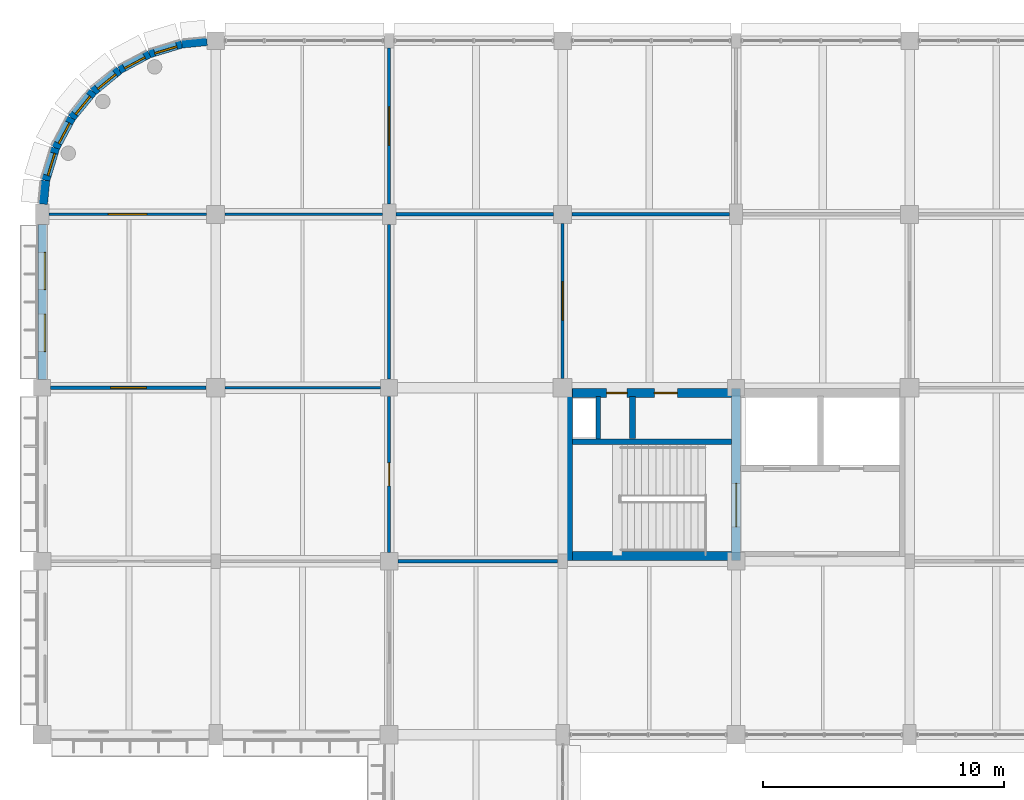
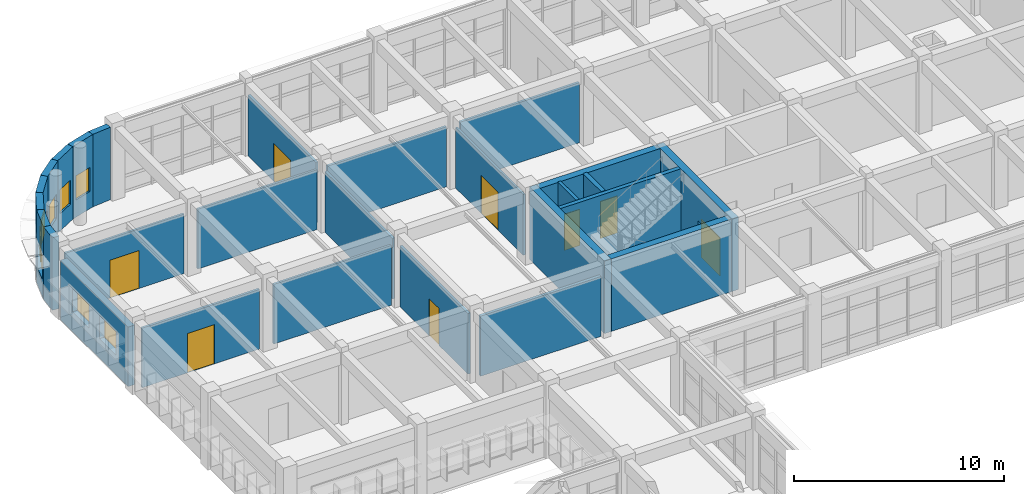
# One storey, part 155 of 171: 27 walls, 8 doors, 8 windows, 16 openings.
"""IFC4 building model written with IfcOpenShell, lengths in metres."""

from ifc_helpers import new_model, si_unit, direction, frame, frame_2d, origin, place, context, subcontext, project, spatial, rectangle, extrude, material, layer, layer_set, type_object, element, fill, save


model = new_model("IFC4")

# Units and contexts
model_context = context("Model", 3, precision=1e-05, world=origin(), true_north=direction((0.0, 1.0)))
body_context = subcontext(model_context, "Body", "Model", "MODEL_VIEW")
ifc_project = project(units=[si_unit("LENGTHUNIT", "METRE"), si_unit("AREAUNIT", "SQUARE_METRE"), si_unit("VOLUMEUNIT", "CUBIC_METRE"), si_unit("PLANEANGLEUNIT", "RADIAN"), si_unit("MASSUNIT", "GRAM", prefix="KILO")], contexts=[model_context])

# Site, building, storey
site_placement = place(None, origin())
site = spatial("IfcSite", under=ifc_project, at=site_placement, CompositionType="ELEMENT")
building_placement = place(site_placement, origin())
building = spatial("IfcBuilding", under=site, at=building_placement, Name="Thalmaran Polytechnic", CompositionType="ELEMENT")
storey_placement = place(building_placement, frame((0.0, 0.0, 5.39990234375)))
storey = spatial("IfcBuildingStorey", under=building, at=storey_placement, Name="L01", CompositionType="ELEMENT", Elevation=5.39990234375)

# Wall, openings, windows
ifc_material_1 = material(Name="Precast concrete C40/50", Category="concrete")
ifc_layer_1 = layer(ifc_material_1, 0.360107421875, Name="Precast concrete C40/50")
ifc_layer_set_1 = layer_set([ifc_layer_1], Name="Precast concrete C40/50")
wall_type_1 = type_object("IfcWallType", Name="WL-EW01", PredefinedType="STANDARD", material=ifc_layer_set_1)
wall_1_placement = place(storey_placement, frame((0.0, 108.35009765625, 0.0), z_axis=(0.0, 0.0, 1.0), x_axis=(0.0, 1.0, 0.0)))
wall_1 = element("IfcWall", 1, at=wall_1_placement, inside=storey, type_object=wall_type_1, Name="Exterior Precast Facade Wall L01-020", PredefinedType="STANDARD", context=body_context, shape_type="SweptSolid", body=[
    extrude(rectangle(XDim=6.4248046875, YDim=0.360107421875, at=frame_2d((3.21240234375, 0.0))), origin(), (0.0, 0.0, 1.0), 3.455078125),
])
opening_1_placement = place(wall_1_placement, frame((1.152587890625, 0.0, 1.14990234375)))
opening_1 = element("IfcOpeningElement", 2, at=opening_1_placement, cuts=wall_1, Name="Opening VW09", PredefinedType="OPENING", context=body_context, shape_type="SweptSolid", body=[
    extrude(rectangle(XDim=1.550048828125, YDim=1.35009765625, at=frame_2d((0.77490234375, 0.675048828125))), frame((0.0, 0.18994140625, 0.0), z_axis=(0.0, -1.0, 0.0), x_axis=(1.0, 0.0, 0.0)), (0.0, 0.0, 1.0), 0.380126953125),
])
opening_2_placement = place(wall_1_placement, frame((3.722412109375, 0.0, 1.14990234375)))
opening_2 = element("IfcOpeningElement", 3, at=opening_2_placement, cuts=wall_1, Name="Opening VW09", PredefinedType="OPENING", context=body_context, shape_type="SweptSolid", body=[
    extrude(rectangle(XDim=1.550048828125, YDim=1.35009765625, at=frame_2d((0.77490234375, 0.675048828125))), frame((0.0, 0.18994140625, 0.0), z_axis=(0.0, -1.0, 0.0), x_axis=(1.0, 0.0, 0.0)), (0.0, 0.0, 1.0), 0.380126953125),
])
ifc_material_2 = material(Name="Thermally broken aluminium and double low-E glass", Category="aluminium")
window_type_1 = type_object("IfcWindowType", Name="WN-VZ09", PartitioningType="SINGLE_PANEL", PredefinedType="WINDOW", material=ifc_material_2)
window_1_placement = place(opening_1_placement, origin())
window_1 = element("IfcWindow", 4, at=window_1_placement, inside=storey, type_object=window_type_1, Name="Deep-Set Solar-Screened Window W-0116", OverallHeight=1.35009765625, OverallWidth=1.550048828125, PartitioningType="SINGLE_PANEL", PredefinedType="WINDOW", context=body_context, shape_type="SweptSolid", body=[
    extrude(rectangle(XDim=1.550048828125, YDim=1.35009765625, at=frame_2d((0.77490234375, 0.675048828125))), frame((0.0, -0.080078125, 0.0), z_axis=(0.0, -1.0, 0.0), x_axis=(1.0, 0.0, 0.0)), (0.0, 0.0, 1.0), 0.06005859375),
])
fill(opening_1, window_1)
window_2_placement = place(opening_2_placement, origin())
window_2 = element("IfcWindow", 5, at=window_2_placement, inside=storey, type_object=window_type_1, Name="Deep-Set Solar-Screened Window W-0117", OverallHeight=1.35009765625, OverallWidth=1.550048828125, PartitioningType="SINGLE_PANEL", PredefinedType="WINDOW", context=body_context, shape_type="SweptSolid", body=[
    extrude(rectangle(XDim=1.550048828125, YDim=1.35009765625, at=frame_2d((0.77490234375, 0.675048828125))), frame((0.0, -0.080078125, 0.0), z_axis=(0.0, -1.0, 0.0), x_axis=(1.0, 0.0, 0.0)), (0.0, 0.0, 1.0), 0.06005859375),
])
fill(opening_2, window_2)

# Wall
wall_2_placement = place(storey_placement, frame((0.041748046875, 115.623046875, 0.0), z_axis=(0.0, 0.0, 1.0), x_axis=(0.09800882272, 0.99518554585, 0.0)))
element("IfcWall", 6, at=wall_2_placement, inside=storey, type_object=wall_type_1, Name="Exterior Precast Facade Wall L01-021", PredefinedType="STANDARD", context=body_context, shape_type="SweptSolid", body=[
    extrude(rectangle(XDim=0.986328125, YDim=0.360107421875, at=frame_2d((0.4931640625, 0.0))), origin(), (0.0, 0.0, 1.0), 4.210205078125),
])

# Wall, opening, window
wall_3_placement = place(storey_placement, frame((0.138427734375, 116.604736328125, 0.0), z_axis=(0.0, 0.0, 1.0), x_axis=(0.290266641956, 0.956945806495, 0.0)))
wall_3 = element("IfcWall", 7, at=wall_3_placement, inside=storey, type_object=wall_type_1, Name="Exterior Precast Facade Wall L01-022", PredefinedType="STANDARD", context=body_context, shape_type="SweptSolid", body=[
    extrude(rectangle(XDim=1.411376953125, YDim=0.360107421875, at=frame_2d((0.70556640625, 0.0))), origin(), (0.0, 0.0, 1.0), 4.210205078125),
])
opening_3_placement = place(wall_3_placement, frame((0.2255859375, 0.0, 1.0)))
opening_3 = element("IfcOpeningElement", 8, at=opening_3_placement, cuts=wall_3, Name="Opening CR01", PredefinedType="OPENING", context=body_context, shape_type="SweptSolid", body=[
    extrude(rectangle(XDim=0.9599609375, YDim=1.39990234375, at=frame_2d((0.47998046875, 0.699951171875))), frame((0.0, 0.18994140625, 0.0), z_axis=(0.0, -1.0, 0.0), x_axis=(1.0, 0.0, 0.0)), (0.0, 0.0, 1.0), 0.380126953125),
])
window_type_2 = type_object("IfcWindowType", Name="WN-CR01", PartitioningType="SINGLE_PANEL", PredefinedType="WINDOW", material=ifc_material_2)
window_3_placement = place(opening_3_placement, origin())
window_3 = element("IfcWindow", 9, at=window_3_placement, inside=storey, type_object=window_type_2, Name="Curved Prow Ribbon Window W-0118", OverallHeight=1.39990234375, OverallWidth=0.9599609375, PartitioningType="SINGLE_PANEL", PredefinedType="WINDOW", context=body_context, shape_type="SweptSolid", body=[
    extrude(rectangle(XDim=0.9599609375, YDim=1.39990234375, at=frame_2d((0.47998046875, 0.699951171875))), frame((0.0, -0.010009765625, 0.0), z_axis=(0.0, -1.0, 0.0), x_axis=(1.0, 0.0, 0.0)), (0.0, 0.0, 1.0), 0.06005859375),
])
fill(opening_3, window_3)

wall_4_placement = place(storey_placement, frame((0.548095703125, 117.955322265625, 0.0), z_axis=(0.0, 0.0, 1.0), x_axis=(0.471333199182, 0.881955222984, 0.0)))
wall_4 = element("IfcWall", 10, at=wall_4_placement, inside=storey, type_object=wall_type_1, Name="Exterior Precast Facade Wall L01-023", PredefinedType="STANDARD", context=body_context, shape_type="SweptSolid", body=[
    extrude(rectangle(XDim=1.411376953125, YDim=0.360107421875, at=frame_2d((0.70556640625, 0.0))), origin(), (0.0, 0.0, 1.0), 4.210205078125),
])
opening_4_placement = place(wall_4_placement, frame((0.2255859375, 0.0, 1.0)))
opening_4 = element("IfcOpeningElement", 11, at=opening_4_placement, cuts=wall_4, Name="Opening CR01", PredefinedType="OPENING", context=body_context, shape_type="SweptSolid", body=[
    extrude(rectangle(XDim=0.9599609375, YDim=1.39990234375, at=frame_2d((0.47998046875, 0.699951171875))), frame((0.0, 0.18994140625, 0.0), z_axis=(0.0, -1.0, 0.0), x_axis=(1.0, 0.0, 0.0)), (0.0, 0.0, 1.0), 0.380126953125),
])
window_4_placement = place(opening_4_placement, origin())
window_4 = element("IfcWindow", 12, at=window_4_placement, inside=storey, type_object=window_type_2, Name="Curved Prow Ribbon Window W-0119", OverallHeight=1.39990234375, OverallWidth=0.9599609375, PartitioningType="SINGLE_PANEL", PredefinedType="WINDOW", context=body_context, shape_type="SweptSolid", body=[
    extrude(rectangle(XDim=0.9599609375, YDim=1.39990234375, at=frame_2d((0.47998046875, 0.699951171875))), frame((0.0, -0.010009765625, 0.0), z_axis=(0.0, -1.0, 0.0), x_axis=(1.0, 0.0, 0.0)), (0.0, 0.0, 1.0), 0.06005859375),
])
fill(opening_4, window_4)

wall_5_placement = place(storey_placement, frame((1.21337890625, 119.2001953125, 0.0), z_axis=(0.0, 0.0, 1.0), x_axis=(0.634433227965, 0.772977670605, 0.0)))
wall_5 = element("IfcWall", 13, at=wall_5_placement, inside=storey, type_object=wall_type_1, Name="Exterior Precast Facade Wall L01-024", PredefinedType="STANDARD", context=body_context, shape_type="SweptSolid", body=[
    extrude(rectangle(XDim=1.41162109375, YDim=0.360107421875, at=frame_2d((0.705810546875, 0.0))), origin(), (0.0, 0.0, 1.0), 4.210205078125),
])
opening_5_placement = place(wall_5_placement, frame((0.2255859375, 0.0, 1.0)))
opening_5 = element("IfcOpeningElement", 14, at=opening_5_placement, cuts=wall_5, Name="Opening CR01", PredefinedType="OPENING", context=body_context, shape_type="SweptSolid", body=[
    extrude(rectangle(XDim=0.9599609375, YDim=1.39990234375, at=frame_2d((0.47998046875, 0.699951171875))), frame((0.0, 0.18994140625, 0.0), z_axis=(0.0, -1.0, 0.0), x_axis=(1.0, 0.0, 0.0)), (0.0, 0.0, 1.0), 0.380126953125),
])
window_5_placement = place(opening_5_placement, origin())
window_5 = element("IfcWindow", 15, at=window_5_placement, inside=storey, type_object=window_type_2, Name="Curved Prow Ribbon Window W-0120", OverallHeight=1.39990234375, OverallWidth=0.9599609375, PartitioningType="SINGLE_PANEL", PredefinedType="WINDOW", context=body_context, shape_type="SweptSolid", body=[
    extrude(rectangle(XDim=0.9599609375, YDim=1.39990234375, at=frame_2d((0.47998046875, 0.699951171875))), frame((0.0, -0.010009765625, 0.0), z_axis=(0.0, -1.0, 0.0), x_axis=(1.0, 0.0, 0.0)), (0.0, 0.0, 1.0), 0.06005859375),
])
fill(opening_5, window_5)

wall_6_placement = place(storey_placement, frame((2.10888671875, 120.291259765625, 0.0), z_axis=(0.0, 0.0, 1.0), x_axis=(0.773062495189, 0.63432986571, 0.0)))
wall_6 = element("IfcWall", 16, at=wall_6_placement, inside=storey, type_object=wall_type_1, Name="Exterior Precast Facade Wall L01-025", PredefinedType="STANDARD", context=body_context, shape_type="SweptSolid", body=[
    extrude(rectangle(XDim=1.411376953125, YDim=0.360107421875, at=frame_2d((0.70556640625, 0.0))), origin(), (0.0, 0.0, 1.0), 4.210205078125),
])
opening_6_placement = place(wall_6_placement, frame((0.2255859375, 0.0, 1.0)))
opening_6 = element("IfcOpeningElement", 17, at=opening_6_placement, cuts=wall_6, Name="Opening CR01", PredefinedType="OPENING", context=body_context, shape_type="SweptSolid", body=[
    extrude(rectangle(XDim=0.9599609375, YDim=1.39990234375, at=frame_2d((0.47998046875, 0.699951171875))), frame((0.0, 0.18994140625, 0.0), z_axis=(0.0, -1.0, 0.0), x_axis=(1.0, 0.0, 0.0)), (0.0, 0.0, 1.0), 0.380126953125),
])
window_6_placement = place(opening_6_placement, origin())
window_6 = element("IfcWindow", 18, at=window_6_placement, inside=storey, type_object=window_type_2, Name="Curved Prow Ribbon Window W-0121", OverallHeight=1.39990234375, OverallWidth=0.9599609375, PartitioningType="SINGLE_PANEL", PredefinedType="WINDOW", context=body_context, shape_type="SweptSolid", body=[
    extrude(rectangle(XDim=0.9599609375, YDim=1.39990234375, at=frame_2d((0.47998046875, 0.699951171875))), frame((0.0, -0.010009765625, 0.0), z_axis=(0.0, -1.0, 0.0), x_axis=(1.0, 0.0, 0.0)), (0.0, 0.0, 1.0), 0.06005859375),
])
fill(opening_6, window_6)

ifc_layer_2 = layer(ifc_material_1, 0.330078125, Name="Precast concrete C40/50")
ifc_layer_set_2 = layer_set([ifc_layer_2], Name="Precast concrete C40/50")
wall_type_2 = type_object("IfcWallType", Name="WL-EW02", PredefinedType="STANDARD", material=ifc_layer_set_2)
wall_7_placement = place(storey_placement, frame((3.199951171875, 121.1865234375, 0.0), z_axis=(0.0, 0.0, 1.0), x_axis=(0.881844864465, 0.471539643102, 0.0)))
wall_7 = element("IfcWall", 19, at=wall_7_placement, inside=storey, type_object=wall_type_2, Name="Exterior Precast Facade Wall L01-026", PredefinedType="STANDARD", context=body_context, shape_type="SweptSolid", body=[
    extrude(rectangle(XDim=1.411376953125, YDim=0.330078125, at=frame_2d((0.70556640625, 0.0))), origin(), (0.0, 0.0, 1.0), 4.210205078125),
])
opening_7_placement = place(wall_7_placement, frame((0.2255859375, 0.0, 1.0)))
opening_7 = element("IfcOpeningElement", 20, at=opening_7_placement, cuts=wall_7, Name="Opening CR01", PredefinedType="OPENING", context=body_context, shape_type="SweptSolid", body=[
    extrude(rectangle(XDim=0.9599609375, YDim=1.39990234375, at=frame_2d((0.47998046875, 0.699951171875))), frame((0.0, 0.175048828125, 0.0), z_axis=(0.0, -1.0, 0.0), x_axis=(1.0, 0.0, 0.0)), (0.0, 0.0, 1.0), 0.35009765625),
])
window_7_placement = place(opening_7_placement, origin())
window_7 = element("IfcWindow", 21, at=window_7_placement, inside=storey, type_object=window_type_2, Name="Curved Prow Ribbon Window W-0122", OverallHeight=1.39990234375, OverallWidth=0.9599609375, PartitioningType="SINGLE_PANEL", PredefinedType="WINDOW", context=body_context, shape_type="SweptSolid", body=[
    extrude(rectangle(XDim=0.9599609375, YDim=1.39990234375, at=frame_2d((0.47998046875, 0.699951171875))), frame((0.0, -0.010009765625, 0.0), z_axis=(0.0, -1.0, 0.0), x_axis=(1.0, 0.0, 0.0)), (0.0, 0.0, 1.0), 0.06005859375),
])
fill(opening_7, window_7)

wall_8_placement = place(storey_placement, frame((4.444580078125, 121.85205078125, 0.0), z_axis=(0.0, 0.0, 1.0), x_axis=(0.95696037757, 0.290218599957, 0.0)))
wall_8 = element("IfcWall", 22, at=wall_8_placement, inside=storey, type_object=wall_type_2, Name="Exterior Precast Facade Wall L01-027", PredefinedType="STANDARD", context=body_context, shape_type="SweptSolid", body=[
    extrude(rectangle(XDim=1.41162109375, YDim=0.330078125, at=frame_2d((0.705810546875, 0.0))), origin(), (0.0, 0.0, 1.0), 4.210205078125),
])
opening_8_placement = place(wall_8_placement, frame((0.2255859375, 0.0, 1.0)))
opening_8 = element("IfcOpeningElement", 23, at=opening_8_placement, cuts=wall_8, Name="Opening CR01", PredefinedType="OPENING", context=body_context, shape_type="SweptSolid", body=[
    extrude(rectangle(XDim=0.9599609375, YDim=1.39990234375, at=frame_2d((0.47998046875, 0.699951171875))), frame((0.0, 0.175048828125, 0.0), z_axis=(0.0, -1.0, 0.0), x_axis=(1.0, 0.0, 0.0)), (0.0, 0.0, 1.0), 0.35009765625),
])
window_8_placement = place(opening_8_placement, origin())
window_8 = element("IfcWindow", 24, at=window_8_placement, inside=storey, type_object=window_type_2, Name="Curved Prow Ribbon Window W-0123", OverallHeight=1.39990234375, OverallWidth=0.9599609375, PartitioningType="SINGLE_PANEL", PredefinedType="WINDOW", context=body_context, shape_type="SweptSolid", body=[
    extrude(rectangle(XDim=0.9599609375, YDim=1.39990234375, at=frame_2d((0.47998046875, 0.699951171875))), frame((0.0, -0.010009765625, 0.0), z_axis=(0.0, -1.0, 0.0), x_axis=(1.0, 0.0, 0.0)), (0.0, 0.0, 1.0), 0.06005859375),
])
fill(opening_8, window_8)

# Walls
wall_9_placement = place(storey_placement, frame((5.79541015625, 122.26171875, 0.0), z_axis=(0.0, 0.0, 1.0), x_axis=(0.995187764733, 0.097986289481, 0.0)))
element("IfcWall", 25, at=wall_9_placement, inside=storey, type_object=wall_type_2, Name="Exterior Precast Facade Wall L01-028", PredefinedType="STANDARD", context=body_context, shape_type="SweptSolid", body=[
    extrude(rectangle(XDim=1.051513671875, YDim=0.330078125, at=frame_2d((0.52587890625, 0.0))), origin(), (0.0, 0.0, 1.0), 4.210205078125),
])
ifc_material_3 = material(Name="Autoclaved aerated masonry", Category="masonry")
ifc_layer_3 = layer(ifc_material_3, 0.22998046875, Name="Autoclaved aerated masonry")
ifc_layer_set_3 = layer_set([ifc_layer_3], Name="Autoclaved aerated masonry")
wall_type_3 = type_object("IfcWallType", Name="WL-IW02", PredefinedType="PARTITIONING", material=ifc_layer_set_3)
wall_10_placement = place(storey_placement, frame((24.5, 105.89990234375, 0.0), z_axis=(0.0, 0.0, 1.0), x_axis=(0.0, 1.0, 0.0)))
element("IfcWall", 26, at=wall_10_placement, inside=storey, type_object=wall_type_3, Name="Core C2 Riser Partition L01", PredefinedType="PARTITIONING", context=body_context, shape_type="SweptSolid", body=[
    extrude(rectangle(XDim=1.739990234375, YDim=0.22998046875, at=frame_2d((0.8701171875, 0.0))), origin(), (0.0, 0.0, 1.0), 4.210205078125),
])
ifc_layer_4 = layer(ifc_material_3, 0.179931640625, Name="Autoclaved aerated masonry")
ifc_layer_set_4 = layer_set([ifc_layer_4], Name="Autoclaved aerated masonry")
wall_type_4 = type_object("IfcWallType", Name="WL-IW04", PredefinedType="PARTITIONING", material=ifc_layer_set_4)
wall_11_placement = place(storey_placement, frame((23.080078125, 105.8798828125, 0.0), z_axis=(0.0, 0.0, 1.0), x_axis=(0.0, 1.0, 0.0)))
element("IfcWall", 27, at=wall_11_placement, inside=storey, type_object=wall_type_4, Name="Core C2 Riser Shaft Enclosure Wall L01", PredefinedType="PARTITIONING", context=body_context, shape_type="SweptSolid", body=[
    extrude(rectangle(XDim=1.760009765625, YDim=0.179931640625, at=frame_2d((0.8798828125, 0.0))), origin(), (0.0, 0.0, 1.0), 4.210205078125),
])
ifc_material_4 = material(Name="Gypsum acoustic partition")
ifc_layer_5 = layer(ifc_material_4, 0.159912109375, Name="Gypsum acoustic partition")
ifc_layer_set_5 = layer_set([ifc_layer_5], Name="Gypsum acoustic partition")
wall_type_5 = type_object("IfcWallType", Name="WL-IW05", PredefinedType="PARTITIONING", material=ifc_layer_set_5)
wall_12_placement = place(storey_placement, frame((14.764892578125, 100.800048828125, 0.0), z_axis=(0.0, 0.0, 1.0), x_axis=(1.0, 0.0, 0.0)))
element("IfcWall", 28, at=wall_12_placement, inside=storey, type_object=wall_type_5, Name="Interior Partition IW05 L01-030", PredefinedType="PARTITIONING", context=body_context, shape_type="SweptSolid", body=[
    extrude(rectangle(XDim=6.630126953125, YDim=0.159912109375, at=frame_2d((3.31494140625, 0.0))), origin(), (0.0, 0.0, 1.0), 3.485107421875),
])

# Wall, opening, door
ifc_layer_6 = layer(ifc_material_4, 0.1298828125, Name="Gypsum acoustic partition")
ifc_layer_set_6 = layer_set([ifc_layer_6], Name="Gypsum acoustic partition")
wall_type_6 = type_object("IfcWallType", Name="WL-IW07", PredefinedType="PARTITIONING", material=ifc_layer_set_6)
wall_13_placement = place(storey_placement, frame((0.35498046875, 108.0, 0.0), z_axis=(0.0, 0.0, 1.0), x_axis=(1.0, 0.0, 0.0)))
wall_13 = element("IfcWall", 29, at=wall_13_placement, inside=storey, type_object=wall_type_6, Name="Interior Partition IW07 L01-008", PredefinedType="PARTITIONING", context=body_context, shape_type="SweptSolid", body=[
    extrude(rectangle(XDim=6.449951171875, YDim=0.1298828125, at=frame_2d((3.22509765625, 0.0))), origin(), (0.0, 0.0, 1.0), 3.460205078125),
])
opening_9_placement = place(wall_13_placement, frame((2.485107421875, 0.0, 0.0)))
opening_9 = element("IfcOpeningElement", 30, at=opening_9_placement, cuts=wall_13, Name="Opening D-L01-023-2-09-1", PredefinedType="OPENING", context=body_context, shape_type="SweptSolid", body=[
    extrude(rectangle(XDim=1.47998046875, YDim=2.280029296875, at=frame_2d((0.739990234375, 1.14013671875))), frame((0.0, 0.074951171875, 0.0), z_axis=(0.0, -1.0, 0.0), x_axis=(1.0, 0.0, 0.0)), (0.0, 0.0, 1.0), 0.14990234375),
])
ifc_material_5 = material(Name="Powder-coated fire-rated steel", Category="steel")
door_type_1 = type_object("IfcDoorType", Name="DR-ZD09", OperationType="NOTDEFINED", PredefinedType="DOOR", material=ifc_material_5)
door_1_placement = place(opening_9_placement, origin())
door_1 = element("IfcDoor", 31, at=door_1_placement, inside=storey, type_object=door_type_1, Name="Urban Design Studio L01-09 Door 1", OperationType="SINGLE_SWING_LEFT", OverallHeight=2.280029296875, OverallWidth=1.47998046875, PredefinedType="DOOR", context=body_context, shape_type="SweptSolid", body=[
    extrude(rectangle(XDim=1.47998046875, YDim=2.280029296875, at=frame_2d((0.739990234375, 1.14013671875))), frame((0.0, 0.02490234375, 0.0), z_axis=(0.0, -1.0, 0.0), x_axis=(1.0, 0.0, 0.0)), (0.0, 0.0, 1.0), 0.050048828125),
])
fill(opening_9, door_1)

wall_14_placement = place(storey_placement, frame((14.39990234375, 101.1650390625, 0.0), z_axis=(0.0, 0.0, 1.0), x_axis=(0.0, 1.0, 0.0)))
wall_14 = element("IfcWall", 32, at=wall_14_placement, inside=storey, type_object=wall_type_6, Name="Interior Partition IW07 L01-022", PredefinedType="PARTITIONING", context=body_context, shape_type="SweptSolid", body=[
    extrude(rectangle(XDim=6.47998046875, YDim=0.1298828125, at=frame_2d((3.239990234375, 0.0))), origin(), (0.0, 0.0, 1.0), 3.525146484375),
])
opening_10_placement = place(wall_14_placement, frame((2.764892578125, 0.0, 0.0)))
opening_10 = element("IfcOpeningElement", 33, at=opening_10_placement, cuts=wall_14, Name="Opening D-L01-017-2-03-1", PredefinedType="OPENING", context=body_context, shape_type="SweptSolid", body=[
    extrude(rectangle(XDim=0.949951171875, YDim=2.14990234375, at=frame_2d((0.47509765625, 1.074951171875))), frame((0.0, 0.074951171875, 0.0), z_axis=(0.0, -1.0, 0.0), x_axis=(1.0, 0.0, 0.0)), (0.0, 0.0, 1.0), 0.14990234375),
])
door_type_2 = type_object("IfcDoorType", Name="DR-FD08", OperationType="NOTDEFINED", PredefinedType="DOOR", material=ifc_material_5)
door_2_placement = place(opening_10_placement, origin())
door_2 = element("IfcDoor", 34, at=door_2_placement, inside=storey, type_object=door_type_2, Name="Urban Design Studio L01-03 Door 1", OperationType="SINGLE_SWING_RIGHT", OverallHeight=2.14990234375, OverallWidth=0.949951171875, PredefinedType="DOOR", context=body_context, shape_type="SweptSolid", body=[
    extrude(rectangle(XDim=0.949951171875, YDim=2.14990234375, at=frame_2d((0.47509765625, 1.074951171875))), frame((0.0, 0.02490234375, 0.0), z_axis=(0.0, -1.0, 0.0), x_axis=(1.0, 0.0, 0.0)), (0.0, 0.0, 1.0), 0.050048828125),
])
fill(opening_10, door_2)

# Wall
wall_15_placement = place(storey_placement, frame((14.39990234375, 108.35498046875, 0.0), z_axis=(0.0, 0.0, 1.0), x_axis=(0.0, 1.0, 0.0)))
element("IfcWall", 35, at=wall_15_placement, inside=storey, type_object=wall_type_6, Name="Interior Partition IW07 L01-024", PredefinedType="PARTITIONING", context=body_context, shape_type="SweptSolid", body=[
    extrude(rectangle(XDim=6.4150390625, YDim=0.1298828125, at=frame_2d((3.20751953125, 0.0))), origin(), (0.0, 0.0, 1.0), 3.525146484375),
])

# Wall, opening, door
wall_16_placement = place(storey_placement, frame((14.39990234375, 115.6298828125, 0.0), z_axis=(0.0, 0.0, 1.0), x_axis=(0.0, 1.0, 0.0)))
wall_16 = element("IfcWall", 36, at=wall_16_placement, inside=storey, type_object=wall_type_6, Name="Interior Partition IW07 L01-026", PredefinedType="PARTITIONING", context=body_context, shape_type="SweptSolid", body=[
    extrude(rectangle(XDim=6.465087890625, YDim=0.1298828125, at=frame_2d((3.232421875, 0.0))), origin(), (0.0, 0.0, 1.0), 3.52001953125),
])
opening_11_placement = place(wall_16_placement, frame((2.4326171875, 0.0, 0.0)))
opening_11 = element("IfcOpeningElement", 37, at=opening_11_placement, cuts=wall_16, Name="Opening D-L01-032-2-18-1", PredefinedType="OPENING", context=body_context, shape_type="SweptSolid", body=[
    extrude(rectangle(XDim=1.60009765625, YDim=2.199951171875, at=frame_2d((0.800048828125, 1.10009765625))), frame((0.0, 0.074951171875, 0.0), z_axis=(0.0, -1.0, 0.0), x_axis=(1.0, 0.0, 0.0)), (0.0, 0.0, 1.0), 0.14990234375),
])
door_type_3 = type_object("IfcDoorType", Name="DR-FD05", OperationType="NOTDEFINED", PredefinedType="DOOR", material=ifc_material_5)
door_3_placement = place(opening_11_placement, origin())
door_3 = element("IfcDoor", 38, at=door_3_placement, inside=storey, type_object=door_type_3, Name="Library Book Stacks L01-18 Door 1", OperationType="DOUBLE_DOOR_SINGLE_SWING", OverallHeight=2.199951171875, OverallWidth=1.60009765625, PredefinedType="DOOR", context=body_context, shape_type="SweptSolid", body=[
    extrude(rectangle(XDim=1.60009765625, YDim=2.199951171875, at=frame_2d((0.800048828125, 1.10009765625))), frame((0.0, 0.02490234375, 0.0), z_axis=(0.0, -1.0, 0.0), x_axis=(1.0, 0.0, 0.0)), (0.0, 0.0, 1.0), 0.050048828125),
])
fill(opening_11, door_3)

# Walls
wall_17_placement = place(storey_placement, frame((14.679931640625, 115.199951171875, 0.0), z_axis=(0.0, 0.0, 1.0), x_axis=(1.0, 0.0, 0.0)))
element("IfcWall", 39, at=wall_17_placement, inside=storey, type_object=wall_type_6, Name="Interior Partition IW07 L01-032", PredefinedType="PARTITIONING", context=body_context, shape_type="SweptSolid", body=[
    extrude(rectangle(XDim=6.5400390625, YDim=0.1298828125, at=frame_2d((3.27001953125, 0.0))), origin(), (0.0, 0.0, 1.0), 3.485107421875),
])
wall_18_placement = place(storey_placement, frame((21.97998046875, 115.199951171875, 0.0), z_axis=(0.0, 0.0, 1.0), x_axis=(1.0, 0.0, 0.0)))
element("IfcWall", 40, at=wall_18_placement, inside=storey, type_object=wall_type_6, Name="Interior Partition IW07 L01-038", PredefinedType="PARTITIONING", context=body_context, shape_type="SweptSolid", body=[
    extrude(rectangle(XDim=6.5400390625, YDim=0.1298828125, at=frame_2d((3.27001953125, 0.0))), origin(), (0.0, 0.0, 1.0), 3.489990234375),
])

# Wall, opening, door
ifc_layer_7 = layer(ifc_material_4, 0.114990234375, Name="Gypsum acoustic partition")
ifc_layer_set_7 = layer_set([ifc_layer_7], Name="Gypsum acoustic partition")
wall_type_7 = type_object("IfcWallType", Name="WL-IW08", PredefinedType="PARTITIONING", material=ifc_layer_set_7)
wall_19_placement = place(storey_placement, frame((0.280029296875, 115.199951171875, 0.0), z_axis=(0.0, 0.0, 1.0), x_axis=(1.0, 0.0, 0.0)))
wall_19 = element("IfcWall", 41, at=wall_19_placement, inside=storey, type_object=wall_type_7, Name="Interior Partition IW08 L01-009", PredefinedType="PARTITIONING", context=body_context, shape_type="SweptSolid", body=[
    extrude(rectangle(XDim=6.5400390625, YDim=0.114990234375, at=frame_2d((3.27001953125, 0.0))), origin(), (0.0, 0.0, 1.0), 3.460205078125),
])
opening_12_placement = place(wall_19_placement, frame((2.469970703125, 0.0, 0.0)))
opening_12 = element("IfcOpeningElement", 42, at=opening_12_placement, cuts=wall_19, Name="Opening D-L01-031-2-17-1", PredefinedType="OPENING", context=body_context, shape_type="SweptSolid", body=[
    extrude(rectangle(XDim=1.60009765625, YDim=2.199951171875, at=frame_2d((0.800048828125, 1.10009765625))), frame((0.0, 0.0673828125, 0.0), z_axis=(0.0, -1.0, 0.0), x_axis=(1.0, 0.0, 0.0)), (0.0, 0.0, 1.0), 0.135009765625),
])
door_4_placement = place(opening_12_placement, origin())
door_4 = element("IfcDoor", 43, at=door_4_placement, inside=storey, type_object=door_type_3, Name="Polytechnic Library Reading Hall L01-17 Door 1", OperationType="DOUBLE_DOOR_SINGLE_SWING", OverallHeight=2.199951171875, OverallWidth=1.60009765625, PredefinedType="DOOR", context=body_context, shape_type="SweptSolid", body=[
    extrude(rectangle(XDim=1.60009765625, YDim=2.199951171875, at=frame_2d((0.800048828125, 1.10009765625))), frame((0.0, 0.02490234375, 0.0), z_axis=(0.0, -1.0, 0.0), x_axis=(1.0, 0.0, 0.0)), (0.0, 0.0, 1.0), 0.050048828125),
])
fill(opening_12, door_4)

# Walls
wall_20_placement = place(storey_placement, frame((7.594970703125, 108.0, 0.0), z_axis=(0.0, 0.0, 1.0), x_axis=(1.0, 0.0, 0.0)))
element("IfcWall", 44, at=wall_20_placement, inside=storey, type_object=wall_type_7, Name="Interior Partition IW08 L01-023", PredefinedType="PARTITIONING", context=body_context, shape_type="SweptSolid", body=[
    extrude(rectangle(XDim=6.449951171875, YDim=0.114990234375, at=frame_2d((3.22509765625, 0.0))), origin(), (0.0, 0.0, 1.0), 3.47021484375),
])
wall_21_placement = place(storey_placement, frame((7.580078125, 115.199951171875, 0.0), z_axis=(0.0, 0.0, 1.0), x_axis=(1.0, 0.0, 0.0)))
element("IfcWall", 45, at=wall_21_placement, inside=storey, type_object=wall_type_7, Name="Interior Partition IW08 L01-025", PredefinedType="PARTITIONING", context=body_context, shape_type="SweptSolid", body=[
    extrude(rectangle(XDim=6.5400390625, YDim=0.114990234375, at=frame_2d((3.27001953125, 0.0))), origin(), (0.0, 0.0, 1.0), 3.47021484375),
])

# Wall, opening, door
wall_22_placement = place(storey_placement, frame((21.60009765625, 108.39501953125, 0.0), z_axis=(0.0, 0.0, 1.0), x_axis=(0.0, 1.0, 0.0)))
wall_22 = element("IfcWall", 46, at=wall_22_placement, inside=storey, type_object=wall_type_7, Name="Interior Partition IW08 L01-031", PredefinedType="PARTITIONING", context=body_context, shape_type="SweptSolid", body=[
    extrude(rectangle(XDim=6.425048828125, YDim=0.114990234375, at=frame_2d((3.21240234375, 0.0))), origin(), (0.0, 0.0, 1.0), 3.525146484375),
])
opening_13_placement = place(wall_22_placement, frame((2.41259765625, 0.0, 0.0)))
opening_13 = element("IfcOpeningElement", 47, at=opening_13_placement, cuts=wall_22, Name="Opening D-L01-024-2-10-1", PredefinedType="OPENING", context=body_context, shape_type="SweptSolid", body=[
    extrude(rectangle(XDim=1.60009765625, YDim=2.199951171875, at=frame_2d((0.800048828125, 1.10009765625))), frame((0.0, 0.0673828125, 0.0), z_axis=(0.0, -1.0, 0.0), x_axis=(1.0, 0.0, 0.0)), (0.0, 0.0, 1.0), 0.135009765625),
])
door_5_placement = place(opening_13_placement, origin())
door_5 = element("IfcDoor", 48, at=door_5_placement, inside=storey, type_object=door_type_3, Name="Technical Reference Library Reading Room L01-10 Door 1", OperationType="DOUBLE_DOOR_SINGLE_SWING", OverallHeight=2.199951171875, OverallWidth=1.60009765625, PredefinedType="DOOR", context=body_context, shape_type="SweptSolid", body=[
    extrude(rectangle(XDim=1.60009765625, YDim=2.199951171875, at=frame_2d((0.800048828125, 1.10009765625))), frame((0.0, 0.02490234375, 0.0), z_axis=(0.0, -1.0, 0.0), x_axis=(1.0, 0.0, 0.0)), (0.0, 0.0, 1.0), 0.050048828125),
])
fill(opening_13, door_5)

# Walls
ifc_material_6 = material(Name="Concrete C50/60", Category="concrete")
ifc_layer_8 = layer(ifc_material_6, 0.3798828125, Name="Concrete C50/60")
ifc_layer_set_8 = layer_set([ifc_layer_8], Name="Concrete C50/60")
wall_type_8 = type_object("IfcWallType", Name="WL-SW02", PredefinedType="SHEAR", material=ifc_layer_set_8)
wall_23_placement = place(storey_placement, frame((22.010009765625, 101.02001953125, 0.0), z_axis=(0.0, 0.0, 1.0), x_axis=(1.0, 0.0, 0.0)))
element("IfcWall", 49, at=wall_23_placement, inside=storey, type_object=wall_type_8, Name="Core C2 South Shear Wall L01", PredefinedType="SHEAR", context=body_context, shape_type="SweptSolid", body=[
    extrude(rectangle(XDim=6.60009765625, YDim=0.3798828125, at=frame_2d((3.300048828125, 0.0))), origin(), (0.0, 0.0, 1.0), 4.210205078125),
])
wall_24_placement = place(storey_placement, frame((21.820068359375, 107.969970703125, 0.0), z_axis=(0.0, 0.0, 1.0), x_axis=(0.0, -1.0, 0.0)))
element("IfcWall", 50, at=wall_24_placement, inside=storey, type_object=wall_type_8, Name="Core C2 West Shear Wall L01", PredefinedType="SHEAR", context=body_context, shape_type="SweptSolid", body=[
    extrude(rectangle(XDim=7.139892578125, YDim=0.3798828125, at=frame_2d((3.56982421875, 0.0))), origin(), (0.0, 0.0, 1.0), 4.210205078125),
])

# Wall, openings, doors
wall_25_placement = place(storey_placement, frame((22.010009765625, 107.780029296875, 0.0), z_axis=(0.0, 0.0, 1.0), x_axis=(1.0, 0.0, 0.0)))
wall_25 = element("IfcWall", 51, at=wall_25_placement, inside=storey, type_object=wall_type_8, Name="Core C2 North Shear Wall L01", PredefinedType="SHEAR", context=body_context, shape_type="SweptSolid", body=[
    extrude(rectangle(XDim=6.60009765625, YDim=0.3798828125, at=frame_2d((3.300048828125, 0.0))), origin(), (0.0, 0.0, 1.0), 4.210205078125),
])
opening_14_placement = place(wall_25_placement, frame((1.419921875, 0.0, 0.0)))
opening_14 = element("IfcOpeningElement", 52, at=opening_14_placement, cuts=wall_25, Name="Opening DR-C2-L01-R", PredefinedType="OPENING", context=body_context, shape_type="SweptSolid", body=[
    extrude(rectangle(XDim=0.85009765625, YDim=2.10009765625, at=frame_2d((0.425048828125, 1.050048828125))), frame((0.0, 0.199951171875, 0.0), z_axis=(0.0, -1.0, 0.0), x_axis=(1.0, 0.0, 0.0)), (0.0, 0.0, 1.0), 0.39990234375),
])
opening_15_placement = place(wall_25_placement, frame((3.39990234375, 0.0, 0.0)))
opening_15 = element("IfcOpeningElement", 53, at=opening_15_placement, cuts=wall_25, Name="Opening ED-C2-L01-E", PredefinedType="OPENING", context=body_context, shape_type="SweptSolid", body=[
    extrude(rectangle(XDim=0.949951171875, YDim=2.14990234375, at=frame_2d((0.47509765625, 1.074951171875))), frame((0.0, 0.199951171875, 0.0), z_axis=(0.0, -1.0, 0.0), x_axis=(1.0, 0.0, 0.0)), (0.0, 0.0, 1.0), 0.39990234375),
])
door_6_placement = place(opening_15_placement, origin())
door_6 = element("IfcDoor", 54, at=door_6_placement, inside=storey, type_object=door_type_2, Name="Electrical Riser Door C2 L01", OperationType="SINGLE_SWING_LEFT", OverallHeight=2.14990234375, OverallWidth=0.949951171875, PredefinedType="DOOR", context=body_context, shape_type="SweptSolid", body=[
    extrude(rectangle(XDim=0.949951171875, YDim=2.14990234375, at=frame_2d((0.47509765625, 1.074951171875))), frame((0.0, 0.02490234375, 0.0), z_axis=(0.0, -1.0, 0.0), x_axis=(1.0, 0.0, 0.0)), (0.0, 0.0, 1.0), 0.050048828125),
])
fill(opening_15, door_6)
door_type_4 = type_object("IfcDoorType", Name="DR-FD09", OperationType="NOTDEFINED", PredefinedType="DOOR", material=ifc_material_5)
door_7_placement = place(opening_14_placement, origin())
door_7 = element("IfcDoor", 55, at=door_7_placement, inside=storey, type_object=door_type_4, Name="Riser Access Fire Door C2 L01", OperationType="SINGLE_SWING_LEFT", OverallHeight=2.10009765625, OverallWidth=0.85009765625, PredefinedType="DOOR", context=body_context, shape_type="SweptSolid", body=[
    extrude(rectangle(XDim=0.85009765625, YDim=2.10009765625, at=frame_2d((0.425048828125, 1.050048828125))), frame((0.0, 0.02490234375, 0.0), z_axis=(0.0, -1.0, 0.0), x_axis=(1.0, 0.0, 0.0)), (0.0, 0.0, 1.0), 0.050048828125),
])
fill(opening_14, door_7)

# Wall
wall_26_placement = place(storey_placement, frame((22.010009765625, 105.760009765625, 0.0), z_axis=(0.0, 0.0, 1.0), x_axis=(1.0, 0.0, 0.0)))
element("IfcWall", 56, at=wall_26_placement, inside=storey, type_object=wall_type_8, Name="Core C2 Stair Partition L01", PredefinedType="SHEAR", context=body_context, shape_type="SweptSolid", body=[
    extrude(rectangle(XDim=6.60009765625, YDim=0.219970703125, at=frame_2d((3.300048828125, 0.0))), origin(), (0.0, 0.0, 1.0), 4.210205078125),
])

# Wall, opening, door
wall_27_placement = place(storey_placement, frame((28.800048828125, 100.830078125, 0.0), z_axis=(0.0, 0.0, 1.0), x_axis=(0.0, 1.0, 0.0)))
wall_27 = element("IfcWall", 57, at=wall_27_placement, inside=storey, type_object=wall_type_8, Name="Core C2 Stair-Lobby Dividing Shear Wall L01", PredefinedType="SHEAR", context=body_context, shape_type="SweptSolid", body=[
    extrude(rectangle(XDim=7.139892578125, YDim=0.3798828125, at=frame_2d((3.56982421875, 0.0))), origin(), (0.0, 0.0, 1.0), 4.210205078125),
])
opening_16_placement = place(wall_27_placement, frame((1.39990234375, 0.0, 0.0)))
opening_16 = element("IfcOpeningElement", 58, at=opening_16_placement, cuts=wall_27, Name="Opening SD-ST2-L01", PredefinedType="OPENING", context=body_context, shape_type="SweptSolid", body=[
    extrude(rectangle(XDim=1.800048828125, YDim=2.199951171875, at=frame_2d((0.89990234375, 1.10009765625))), frame((0.0, 0.199951171875, 0.0), z_axis=(0.0, -1.0, 0.0), x_axis=(1.0, 0.0, 0.0)), (0.0, 0.0, 1.0), 0.39990234375),
])
door_type_5 = type_object("IfcDoorType", Name="DR-FD03", OperationType="NOTDEFINED", PredefinedType="DOOR", material=ifc_material_5)
door_8_placement = place(opening_16_placement, origin())
door_8 = element("IfcDoor", 59, at=door_8_placement, inside=storey, type_object=door_type_5, Name="Firefighting Lobby to Exit Stair Door ST2 L01", OperationType="SINGLE_SWING_RIGHT", OverallHeight=2.199951171875, OverallWidth=1.800048828125, PredefinedType="DOOR", context=body_context, shape_type="SweptSolid", body=[
    extrude(rectangle(XDim=1.800048828125, YDim=2.199951171875, at=frame_2d((0.89990234375, 1.10009765625))), frame((0.0, 0.02490234375, 0.0), z_axis=(0.0, -1.0, 0.0), x_axis=(1.0, 0.0, 0.0)), (0.0, 0.0, 1.0), 0.050048828125),
])
fill(opening_16, door_8)

save(model, "model.ifc")
